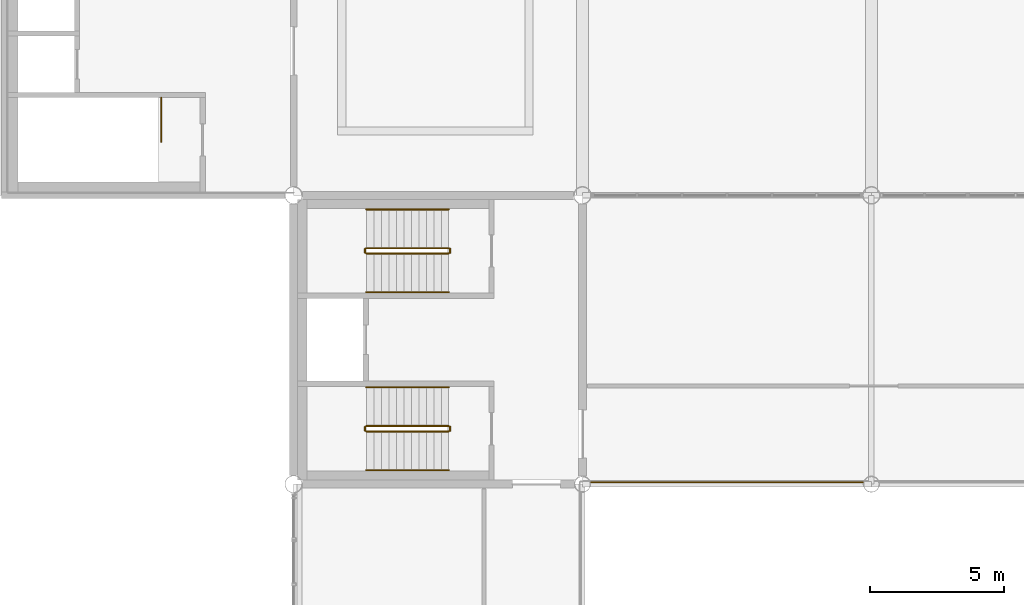
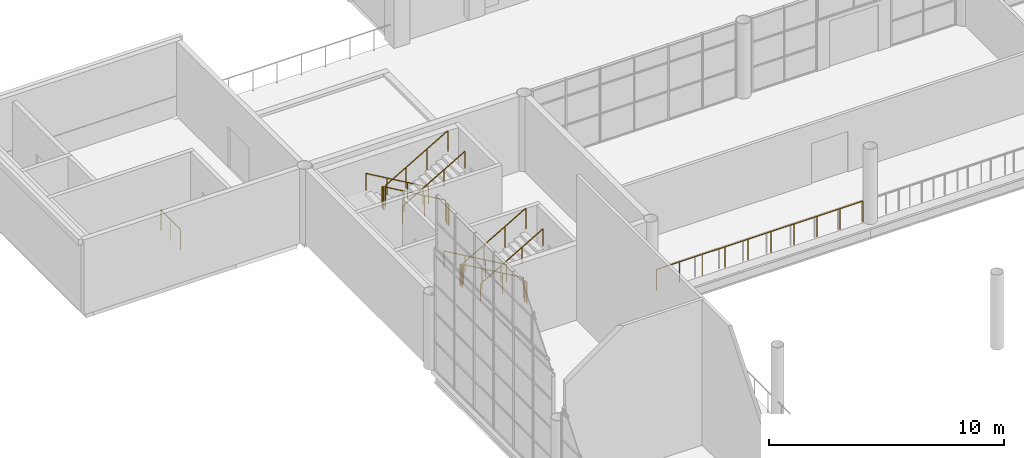
# One storey, part 87 of 95: 14 railings.
"""IFC4 building model written with IfcOpenShell, lengths in metres."""

import ifcopenshell
import ifcopenshell.guid

model = None  # the IFC model being written
_history = None  # IfcOwnerHistory: only IFC2X3 demands one
_inside = {}  # id of a spatial element -> (the spatial element, [elements in it])
_under = {}  # id of a project, library or spatial element -> (it, [spatial elements below it])
_declared = {}  # id of a project -> (the project, [libraries it declares])
_typed = {}  # id of a type object -> (the type object, [elements of that type])
_made_of = {}  # id of a material, layer set ... -> (it, [elements and type objects made of it])


def new_model(schema):
    """Start an empty IFC model of exactly this schema.

    Asked for "IFC4X3", IfcOpenShell would pick the latest addendum, in which some entities
    have other attributes; the version numbers below select the first issue.
    IFC2X3 requires an IfcOwnerHistory on every rooted entity: one is made here for all.
    """
    global model, _history
    if schema == "IFC4X3":
        model = ifcopenshell.file(schema_version=(4, 3, 0, 0))
    else:
        model = ifcopenshell.file(schema=schema)
    _inside.clear()
    _under.clear()
    _declared.clear()
    _typed.clear()
    _made_of.clear()
    _history = None
    if model.schema == "IFC2X3":
        org = make("IfcOrganization", Name="unknown")
        user = make(
            "IfcPersonAndOrganization",
            ThePerson=make("IfcPerson", FamilyName="unknown"),
            TheOrganization=org,
        )
        app = make(
            "IfcApplication",
            ApplicationDeveloper=org,
            Version="unknown",
            ApplicationFullName="unknown",
            ApplicationIdentifier="unknown",
        )
        _history = make(
            "IfcOwnerHistory",
            OwningUser=user,
            OwningApplication=app,
            ChangeAction="ADDED",
            CreationDate=0,
        )
    return model


def make(cls, **values):
    """One entity of the class cls with the attributes given. An attribute that is None is left unset."""
    return model.create_entity(
        cls, **{name: value for name, value in values.items() if value is not None}
    )


def rooted(cls, **values):
    """An entity with a GlobalId (a new one), such as an element, a storey or a relation."""
    return make(cls, GlobalId=ifcopenshell.guid.new(), OwnerHistory=_history, **values)


def si_unit(unit_type, name, prefix=None):
    """IfcSIUnit, for example si_unit("LENGTHUNIT", "METRE", prefix="MILLI")."""
    return make("IfcSIUnit", UnitType=unit_type, Prefix=prefix, Name=name)


def assignment(units):
    """IfcUnitAssignment: the units of a project."""
    return None if units is None else make("IfcUnitAssignment", Units=units)


def point(xyz):
    """IfcCartesianPoint."""
    return None if xyz is None else make("IfcCartesianPoint", Coordinates=xyz)


def direction(xyz):
    """IfcDirection."""
    return None if xyz is None else make("IfcDirection", DirectionRatios=xyz)


def frame(location, z_axis=None, x_axis=None):
    """IfcAxis2Placement3D, a coordinate frame: its origin and axes. An axis left out is left unset."""
    return make(
        "IfcAxis2Placement3D",
        Location=point(location),
        Axis=direction(z_axis),
        RefDirection=direction(x_axis),
    )


def frame_2d(location, x_axis=None):
    """IfcAxis2Placement2D, a coordinate frame in the plane: its origin and x axis."""
    return make(
        "IfcAxis2Placement2D", Location=point(location), RefDirection=direction(x_axis)
    )


def origin():
    """The frame at (0, 0, 0) with its axes left unset."""
    return frame((0.0, 0.0, 0.0))


def origin_2d():
    """The frame at (0, 0) in the plane with its x axis left unset."""
    return frame_2d((0.0, 0.0))


def place(relative_to, where):
    """IfcLocalPlacement: puts the frame where relative to a parent placement (None: the world)."""
    return make(
        "IfcLocalPlacement", PlacementRelTo=relative_to, RelativePlacement=where
    )


def context(
    kind, dimensions, precision=None, world=None, true_north=None, identifier=None
):
    """IfcGeometricRepresentationContext, for example the 3D "Model" context."""
    return make(
        "IfcGeometricRepresentationContext",
        ContextIdentifier=identifier,
        ContextType=kind,
        CoordinateSpaceDimension=dimensions,
        Precision=precision,
        WorldCoordinateSystem=world,
        TrueNorth=true_north,
    )


def subcontext(parent, identifier, kind, view, scale=None):
    """IfcGeometricRepresentationSubContext, for example "Body" below "Model"."""
    return make(
        "IfcGeometricRepresentationSubContext",
        ContextIdentifier=identifier,
        ContextType=kind,
        ParentContext=parent,
        TargetScale=scale,
        TargetView=view,
    )


def project(units=None, contexts=None):
    """IfcProject with its units and contexts."""
    return rooted(
        "IfcProject",
        Name="project",
        RepresentationContexts=contexts,
        UnitsInContext=assignment(units),
    )


def spatial(cls, under=None, at=None, **own):
    """A site, building, storey or space (cls), placed at a placement, below another one or the project."""
    s = rooted(cls, ObjectPlacement=at, **own)
    if under is not None:
        _under.setdefault(under.id(), (under, []))[1].append(s)
    return s


def profile(cls, at=None, kind="AREA", **sizes):
    """A parametric profile (cls). Its sizes go by their IFC names, for example OverallWidth=200.0."""
    return make(cls, ProfileType=kind, Position=at, **sizes)


def circle(**sizes):
    """IfcCircleProfileDef."""
    return profile("IfcCircleProfileDef", **sizes)


def extrude(swept, where, along, depth):
    """IfcExtrudedAreaSolid: the profile swept, set in the frame where, extruded along a direction by depth."""
    return make(
        "IfcExtrudedAreaSolid",
        SweptArea=swept,
        Position=where,
        ExtrudedDirection=direction(along),
        Depth=depth,
    )


def shape(context_of_items, identifier, shape_type, items):
    """IfcShapeRepresentation: the items that make up one representation, for example the "Body"."""
    return make(
        "IfcShapeRepresentation",
        ContextOfItems=context_of_items,
        RepresentationIdentifier=identifier,
        RepresentationType=shape_type,
        Items=items,
    )


def material(Name=None, Category=None):
    """IfcMaterial."""
    return make("IfcMaterial", Name=Name, Category=Category)


def made_of(thing, what):
    """Note that an element or type object is made of a material, layer set ...; save() writes the relation."""
    if what is not None:
        _made_of.setdefault(what.id(), (what, []))[1].append(thing)
    return thing


def type_object(cls, material=None, **own):
    """A type object (cls), such as IfcWallType, which elements share."""
    return made_of(rooted(cls, **own), material)


def element(
    cls,
    number,
    at=None,
    inside=None,
    cuts=None,
    type_object=None,
    material=None,
    context=None,
    identifier="Body",
    shape_type=None,
    held_by="IfcProductDefinitionShape",
    body=None,
    shapes=None,
    **own,
):
    """One element of the class cls, such as IfcWall. Its Tag is "e" and its number.

    at: its placement. inside: the storey or other place that contains it. cuts: it is an
    opening in that element (IfcRelVoidsElement). A single representation is given by context,
    identifier, shape_type and body (its items); several are given by shapes. held_by: the class
    of the entity that holds the representations. save() writes the other relations.
    """
    e = rooted(cls, Tag="e%d" % number, ObjectPlacement=at, **own)
    if body is not None:
        shapes = [shape(context, identifier, shape_type, body)]
    if shapes is not None:
        e.Representation = make(held_by, Representations=shapes)
    if inside is not None:
        _inside.setdefault(inside.id(), (inside, []))[1].append(e)
    if cuts is not None:
        rooted(
            "IfcRelVoidsElement", RelatingBuildingElement=cuts, RelatedOpeningElement=e
        )
    if type_object is not None:
        _typed.setdefault(type_object.id(), (type_object, []))[1].append(e)
    return made_of(e, material)


def aggregate(whole, parts):
    """IfcRelAggregates: a whole, such as a stair, and the parts it consists of."""
    return rooted("IfcRelAggregates", RelatingObject=whole, RelatedObjects=parts)


def save(model, path):
    """Write the relations noted so far, then the file.

    IfcRelAggregates (storeys below a building ...), IfcRelContainedInSpatialStructure (elements
    in a storey), IfcRelDefinesByType, IfcRelAssociatesMaterial and IfcRelDeclares: one each for
    every whole, place, type object, material and project.
    """
    for whole, parts in _under.values():
        aggregate(whole, parts)
    for where, things in _inside.values():
        rooted(
            "IfcRelContainedInSpatialStructure",
            RelatedElements=things,
            RelatingStructure=where,
        )
    for kind, things in _typed.values():
        rooted("IfcRelDefinesByType", RelatedObjects=things, RelatingType=kind)
    for what, things in _made_of.values():
        rooted("IfcRelAssociatesMaterial", RelatedObjects=things, RelatingMaterial=what)
    for by, libraries in _declared.values():
        rooted("IfcRelDeclares", RelatingContext=by, RelatedDefinitions=libraries)
    model.write(path)


model = new_model("IFC4")

# Units and contexts
model_context = context("Model", 3, precision=1e-05, world=origin(), true_north=direction((0.0, 1.0)))
body_context = subcontext(model_context, "Body", "Model", "MODEL_VIEW")
ifc_project = project(units=[si_unit("LENGTHUNIT", "METRE"), si_unit("AREAUNIT", "SQUARE_METRE"), si_unit("VOLUMEUNIT", "CUBIC_METRE"), si_unit("PLANEANGLEUNIT", "RADIAN"), si_unit("MASSUNIT", "GRAM", prefix="KILO")], contexts=[model_context])

# Site, building, storey
site_placement = place(None, origin())
site = spatial("IfcSite", under=ifc_project, at=site_placement, CompositionType="ELEMENT")
building_placement = place(site_placement, origin())
building = spatial("IfcBuilding", under=site, at=building_placement, Name="Magnolia Steps Interchange", CompositionType="ELEMENT")
storey_placement = place(building_placement, frame((0.0, 0.0, 4.800048828125)))
storey = spatial("IfcBuildingStorey", under=building, at=storey_placement, Name="L01", CompositionType="ELEMENT", Elevation=4.800048828125)

# Railings
ifc_material_1 = material(Name="Stainless steel grade 304", Category="steel")
railing_type_1 = type_object("IfcRailingType", Name="Stair guard 1100", PredefinedType="GUARDRAIL", material=ifc_material_1)
railing_1_placement = place(storey_placement, frame((59.0, 76.97412109375, 0.162353515625)))
element("IfcRailing", 1, at=railing_1_placement, inside=storey, type_object=railing_type_1, Name="L01 ST1 stair guard 1", PredefinedType="GUARDRAIL", context=body_context, shape_type="SweptSolid", body=[
    extrude(circle(Radius=0.02392578125, at=origin_2d()), frame((0.0, 0.0, 1.076171875), z_axis=(-0.864890721111, 0.0, 0.501960198159), x_axis=(0.0, -1.0, 0.0)), (0.0, 0.0, 1.0), 3.561279296875),
    extrude(circle(Radius=0.02099609375, at=origin_2d()), origin(), (0.0, 0.0, 1.0), 1.052001953125),
    extrude(circle(Radius=0.02099609375, at=origin_2d()), frame((-1.026611328125, 0.0, 0.595947265625)), (0.0, 0.0, 1.0), 1.052001953125),
    extrude(circle(Radius=0.02099609375, at=origin_2d()), frame((-2.053466796875, 0.0, 1.191650390625)), (0.0, 0.0, 1.0), 1.052001953125),
    extrude(circle(Radius=0.02099609375, at=origin_2d()), frame((-3.080078125, 0.0, 1.78759765625)), (0.0, 0.0, 1.0), 1.052001953125),
])
railing_2_placement = place(storey_placement, frame((55.8701171875, 76.949951171875, 1.949951171875)))
element("IfcRailing", 2, at=railing_2_placement, inside=storey, type_object=railing_type_1, Name="L01 ST1 stair guard 2", PredefinedType="GUARDRAIL", context=body_context, shape_type="SweptSolid", body=[
    extrude(circle(Radius=0.02392578125, at=origin_2d()), frame((0.0, 0.0, 1.076171875), z_axis=(0.0, -1.0, 0.0), x_axis=(1.0, 0.0, 0.0)), (0.0, 0.0, 1.0), 0.14990234375),
    extrude(circle(Radius=0.02099609375, at=origin_2d()), origin(), (0.0, 0.0, 1.0), 1.052001953125),
    extrude(circle(Radius=0.02099609375, at=origin_2d()), frame((0.0, -0.14990234375, 0.0)), (0.0, 0.0, 1.0), 1.052001953125),
])
railing_3_placement = place(storey_placement, frame((55.919921875, 76.77587890625, 2.112548828125)))
element("IfcRailing", 3, at=railing_3_placement, inside=storey, type_object=railing_type_1, Name="L01 ST1 stair guard 3", PredefinedType="GUARDRAIL", context=body_context, shape_type="SweptSolid", body=[
    extrude(circle(Radius=0.02392578125, at=origin_2d()), frame((0.0, 0.0, 1.076171875), z_axis=(0.864920483161, 0.0, 0.501908913857), x_axis=(0.0, 1.0, 0.0)), (0.0, 0.0, 1.0), 3.56103515625),
    extrude(circle(Radius=0.02099609375, at=origin_2d()), origin(), (0.0, 0.0, 1.0), 1.052001953125),
    extrude(circle(Radius=0.02099609375, at=origin_2d()), frame((1.026611328125, 0.0, 0.595703125)), (0.0, 0.0, 1.0), 1.052001953125),
    extrude(circle(Radius=0.02099609375, at=origin_2d()), frame((2.053466796875, 0.0, 1.191650390625)), (0.0, 0.0, 1.0), 1.052001953125),
    extrude(circle(Radius=0.02099609375, at=origin_2d()), frame((3.080078125, 0.0, 1.787353515625)), (0.0, 0.0, 1.0), 1.052001953125),
])
railing_4_placement = place(storey_placement, frame((59.050048828125, 76.949951171875, 0.0)))
element("IfcRailing", 4, at=railing_4_placement, inside=storey, type_object=railing_type_1, Name="L01 ST1 stair guard 4", PredefinedType="GUARDRAIL", context=body_context, shape_type="SweptSolid", body=[
    extrude(circle(Radius=0.02392578125, at=origin_2d()), frame((0.0, 0.0, 1.076171875), z_axis=(0.0, -1.0, 0.0), x_axis=(1.0, 0.0, 0.0)), (0.0, 0.0, 1.0), 0.14990234375),
    extrude(circle(Radius=0.02099609375, at=origin_2d()), origin(), (0.0, 0.0, 1.0), 1.052001953125),
    extrude(circle(Radius=0.02099609375, at=origin_2d()), frame((0.0, -0.14990234375, 0.0)), (0.0, 0.0, 1.0), 1.052001953125),
])
railing_5_placement = place(storey_placement, frame((59.0, 83.6240234375, 0.162353515625)))
element("IfcRailing", 5, at=railing_5_placement, inside=storey, type_object=railing_type_1, Name="L01 ST2 stair guard 1", PredefinedType="GUARDRAIL", context=body_context, shape_type="SweptSolid", body=[
    extrude(circle(Radius=0.02392578125, at=origin_2d()), frame((0.0, 0.0, 1.076171875), z_axis=(-0.864890721111, 0.0, 0.501960198159), x_axis=(0.0, -1.0, 0.0)), (0.0, 0.0, 1.0), 3.561279296875),
    extrude(circle(Radius=0.02099609375, at=origin_2d()), origin(), (0.0, 0.0, 1.0), 1.052001953125),
    extrude(circle(Radius=0.02099609375, at=origin_2d()), frame((-1.026611328125, 0.0, 0.595947265625)), (0.0, 0.0, 1.0), 1.052001953125),
    extrude(circle(Radius=0.02099609375, at=origin_2d()), frame((-2.053466796875, 0.0, 1.191650390625)), (0.0, 0.0, 1.0), 1.052001953125),
    extrude(circle(Radius=0.02099609375, at=origin_2d()), frame((-3.080078125, 0.0, 1.78759765625)), (0.0, 0.0, 1.0), 1.052001953125),
])
railing_6_placement = place(storey_placement, frame((55.8701171875, 83.60009765625, 1.949951171875)))
element("IfcRailing", 6, at=railing_6_placement, inside=storey, type_object=railing_type_1, Name="L01 ST2 stair guard 2", PredefinedType="GUARDRAIL", context=body_context, shape_type="SweptSolid", body=[
    extrude(circle(Radius=0.02392578125, at=origin_2d()), frame((0.0, 0.0, 1.076171875), z_axis=(0.0, -1.0, 0.0), x_axis=(1.0, 0.0, 0.0)), (0.0, 0.0, 1.0), 0.150146484375),
    extrude(circle(Radius=0.02099609375, at=origin_2d()), origin(), (0.0, 0.0, 1.0), 1.052001953125),
    extrude(circle(Radius=0.02099609375, at=origin_2d()), frame((0.0, -0.150146484375, 0.0)), (0.0, 0.0, 1.0), 1.052001953125),
])
railing_7_placement = place(storey_placement, frame((55.919921875, 83.426025390625, 2.112548828125)))
element("IfcRailing", 7, at=railing_7_placement, inside=storey, type_object=railing_type_1, Name="L01 ST2 stair guard 3", PredefinedType="GUARDRAIL", context=body_context, shape_type="SweptSolid", body=[
    extrude(circle(Radius=0.02392578125, at=origin_2d()), frame((0.0, 0.0, 1.076171875), z_axis=(0.864920483161, 0.0, 0.501908913857), x_axis=(0.0, 1.0, 0.0)), (0.0, 0.0, 1.0), 3.56103515625),
    extrude(circle(Radius=0.02099609375, at=origin_2d()), origin(), (0.0, 0.0, 1.0), 1.052001953125),
    extrude(circle(Radius=0.02099609375, at=origin_2d()), frame((1.026611328125, 0.0, 0.595703125)), (0.0, 0.0, 1.0), 1.052001953125),
    extrude(circle(Radius=0.02099609375, at=origin_2d()), frame((2.053466796875, 0.0, 1.191650390625)), (0.0, 0.0, 1.0), 1.052001953125),
    extrude(circle(Radius=0.02099609375, at=origin_2d()), frame((3.080078125, 0.0, 1.787353515625)), (0.0, 0.0, 1.0), 1.052001953125),
])
railing_8_placement = place(storey_placement, frame((59.050048828125, 83.60009765625, 0.0)))
element("IfcRailing", 8, at=railing_8_placement, inside=storey, type_object=railing_type_1, Name="L01 ST2 stair guard 4", PredefinedType="GUARDRAIL", context=body_context, shape_type="SweptSolid", body=[
    extrude(circle(Radius=0.02392578125, at=origin_2d()), frame((0.0, 0.0, 1.076171875), z_axis=(0.0, -1.0, 0.0), x_axis=(1.0, 0.0, 0.0)), (0.0, 0.0, 1.0), 0.150146484375),
    extrude(circle(Radius=0.02099609375, at=origin_2d()), origin(), (0.0, 0.0, 1.0), 1.052001953125),
    extrude(circle(Radius=0.02099609375, at=origin_2d()), frame((0.0, -0.150146484375, 0.0)), (0.0, 0.0, 1.0), 1.052001953125),
])
railing_9_placement = place(storey_placement, frame((48.25, 89.25, 0.0)))
element("IfcRailing", 9, at=railing_9_placement, inside=storey, type_object=railing_type_1, Name="L01 ST26 top well guard 1", PredefinedType="GUARDRAIL", context=body_context, shape_type="SweptSolid", body=[
    extrude(circle(Radius=0.02392578125, at=origin_2d()), frame((0.0, 0.0, 1.076171875), z_axis=(0.0, -1.0, 0.0), x_axis=(1.0, 0.0, 0.0)), (0.0, 0.0, 1.0), 1.64990234375),
    extrude(circle(Radius=0.02099609375, at=origin_2d()), origin(), (0.0, 0.0, 1.0), 1.052001953125),
    extrude(circle(Radius=0.02099609375, at=origin_2d()), frame((0.0, -0.824951171875, 0.0)), (0.0, 0.0, 1.0), 1.052001953125),
    extrude(circle(Radius=0.02099609375, at=origin_2d()), frame((0.0, -1.64990234375, 0.0)), (0.0, 0.0, 1.0), 1.052001953125),
])
ifc_material_2 = material(Name="Stainless steel grade 304", Category="steel")
railing_type_2 = type_object("IfcRailingType", Name="Stair handrail 900", PredefinedType="HANDRAIL", material=ifc_material_2)
railing_10_placement = place(storey_placement, frame((59.0, 78.426025390625, 0.162353515625)))
element("IfcRailing", 10, at=railing_10_placement, inside=storey, type_object=railing_type_2, Name="L01 ST1 stair handrail 1", PredefinedType="HANDRAIL", context=body_context, shape_type="SweptSolid", body=[
    extrude(circle(Radius=0.02392578125, at=origin_2d()), frame((0.0, 0.0, 0.8759765625), z_axis=(-0.864890721111, 0.0, 0.501960198159), x_axis=(0.0, -1.0, 0.0)), (0.0, 0.0, 1.0), 3.561279296875),
    extrude(circle(Radius=0.02099609375, at=origin_2d()), origin(), (0.0, 0.0, 1.0), 0.851806640625),
    extrude(circle(Radius=0.02099609375, at=origin_2d()), frame((-1.026611328125, 0.0, 0.595947265625)), (0.0, 0.0, 1.0), 0.851806640625),
    extrude(circle(Radius=0.02099609375, at=origin_2d()), frame((-2.053466796875, 0.0, 1.191650390625)), (0.0, 0.0, 1.0), 0.851806640625),
    extrude(circle(Radius=0.02099609375, at=origin_2d()), frame((-3.080078125, 0.0, 1.78759765625)), (0.0, 0.0, 1.0), 0.851806640625),
])
railing_11_placement = place(storey_placement, frame((55.919921875, 75.323974609375, 2.112548828125)))
element("IfcRailing", 11, at=railing_11_placement, inside=storey, type_object=railing_type_2, Name="L01 ST1 stair handrail 2", PredefinedType="HANDRAIL", context=body_context, shape_type="SweptSolid", body=[
    extrude(circle(Radius=0.02392578125, at=origin_2d()), frame((0.0, 0.0, 0.8759765625), z_axis=(0.864920483161, 0.0, 0.501908913857), x_axis=(0.0, 1.0, 0.0)), (0.0, 0.0, 1.0), 3.56103515625),
    extrude(circle(Radius=0.02099609375, at=origin_2d()), origin(), (0.0, 0.0, 1.0), 0.851806640625),
    extrude(circle(Radius=0.02099609375, at=origin_2d()), frame((1.026611328125, 0.0, 0.595703125)), (0.0, 0.0, 1.0), 0.851806640625),
    extrude(circle(Radius=0.02099609375, at=origin_2d()), frame((2.053466796875, 0.0, 1.191650390625)), (0.0, 0.0, 1.0), 0.851806640625),
    extrude(circle(Radius=0.02099609375, at=origin_2d()), frame((3.080078125, 0.0, 1.787353515625)), (0.0, 0.0, 1.0), 0.851806640625),
])
railing_12_placement = place(storey_placement, frame((59.0, 85.075927734375, 0.162353515625)))
element("IfcRailing", 12, at=railing_12_placement, inside=storey, type_object=railing_type_2, Name="L01 ST2 stair handrail 1", PredefinedType="HANDRAIL", context=body_context, shape_type="SweptSolid", body=[
    extrude(circle(Radius=0.02392578125, at=origin_2d()), frame((0.0, 0.0, 0.8759765625), z_axis=(-0.864890721111, 0.0, 0.501960198159), x_axis=(0.0, -1.0, 0.0)), (0.0, 0.0, 1.0), 3.561279296875),
    extrude(circle(Radius=0.02099609375, at=origin_2d()), origin(), (0.0, 0.0, 1.0), 0.851806640625),
    extrude(circle(Radius=0.02099609375, at=origin_2d()), frame((-1.026611328125, 0.0, 0.595947265625)), (0.0, 0.0, 1.0), 0.851806640625),
    extrude(circle(Radius=0.02099609375, at=origin_2d()), frame((-2.053466796875, 0.0, 1.191650390625)), (0.0, 0.0, 1.0), 0.851806640625),
    extrude(circle(Radius=0.02099609375, at=origin_2d()), frame((-3.080078125, 0.0, 1.78759765625)), (0.0, 0.0, 1.0), 0.851806640625),
])
railing_13_placement = place(storey_placement, frame((55.919921875, 81.97412109375, 2.112548828125)))
element("IfcRailing", 13, at=railing_13_placement, inside=storey, type_object=railing_type_2, Name="L01 ST2 stair handrail 2", PredefinedType="HANDRAIL", context=body_context, shape_type="SweptSolid", body=[
    extrude(circle(Radius=0.02392578125, at=origin_2d()), frame((0.0, 0.0, 0.8759765625), z_axis=(0.864920483161, 0.0, 0.501908913857), x_axis=(0.0, 1.0, 0.0)), (0.0, 0.0, 1.0), 3.56103515625),
    extrude(circle(Radius=0.02099609375, at=origin_2d()), origin(), (0.0, 0.0, 1.0), 0.851806640625),
    extrude(circle(Radius=0.02099609375, at=origin_2d()), frame((1.026611328125, 0.0, 0.595703125)), (0.0, 0.0, 1.0), 0.851806640625),
    extrude(circle(Radius=0.02099609375, at=origin_2d()), frame((2.053466796875, 0.0, 1.191650390625)), (0.0, 0.0, 1.0), 0.851806640625),
    extrude(circle(Radius=0.02099609375, at=origin_2d()), frame((3.080078125, 0.0, 1.787353515625)), (0.0, 0.0, 1.0), 0.851806640625),
])
ifc_material_3 = material(Name="Stainless steel grade 304", Category="steel")
railing_type_3 = type_object("IfcRailingType", Name="Void edge guard 1100", PredefinedType="GUARDRAIL", material=ifc_material_3)
railing_14_placement = place(storey_placement, frame((64.317138671875, 74.8701171875, 0.0)))
element("IfcRailing", 14, at=railing_14_placement, inside=storey, type_object=railing_type_3, Name="L01 void edge guard HV 3", PredefinedType="GUARDRAIL", context=body_context, shape_type="SweptSolid", body=[
    extrude(circle(Radius=0.02392578125, at=origin_2d()), frame((0.0, 0.0, 1.076171875), z_axis=(1.0, 0.0, 0.0), x_axis=(0.0, 1.0, 0.0)), (0.0, 0.0, 1.0), 10.165771484375),
    extrude(circle(Radius=0.02099609375, at=origin_2d()), origin(), (0.0, 0.0, 1.0), 1.052001953125),
    extrude(circle(Radius=0.02099609375, at=origin_2d()), frame((1.129638671875, 0.0, 0.0)), (0.0, 0.0, 1.0), 1.052001953125),
    extrude(circle(Radius=0.02099609375, at=origin_2d()), frame((2.259033203125, 0.0, 0.0)), (0.0, 0.0, 1.0), 1.052001953125),
    extrude(circle(Radius=0.02099609375, at=origin_2d()), frame((3.388671875, 0.0, 0.0)), (0.0, 0.0, 1.0), 1.052001953125),
    extrude(circle(Radius=0.02099609375, at=origin_2d()), frame((4.51806640625, 0.0, 0.0)), (0.0, 0.0, 1.0), 1.052001953125),
    extrude(circle(Radius=0.02099609375, at=origin_2d()), frame((5.647705078125, 0.0, 0.0)), (0.0, 0.0, 1.0), 1.052001953125),
    extrude(circle(Radius=0.02099609375, at=origin_2d()), frame((6.777099609375, 0.0, 0.0)), (0.0, 0.0, 1.0), 1.052001953125),
    extrude(circle(Radius=0.02099609375, at=origin_2d()), frame((7.90673828125, 0.0, 0.0)), (0.0, 0.0, 1.0), 1.052001953125),
    extrude(circle(Radius=0.02099609375, at=origin_2d()), frame((9.0361328125, 0.0, 0.0)), (0.0, 0.0, 1.0), 1.052001953125),
    extrude(circle(Radius=0.02099609375, at=origin_2d()), frame((10.165771484375, 0.0, 0.0)), (0.0, 0.0, 1.0), 1.052001953125),
])

save(model, "model.ifc")
